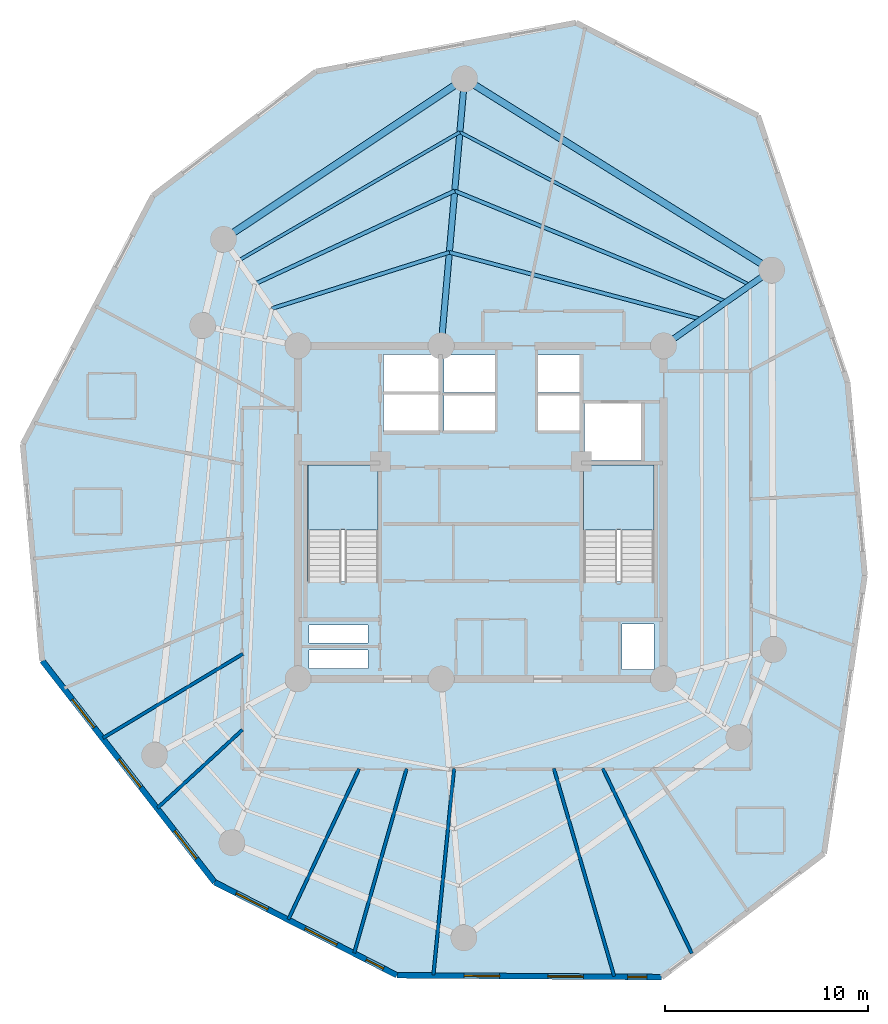
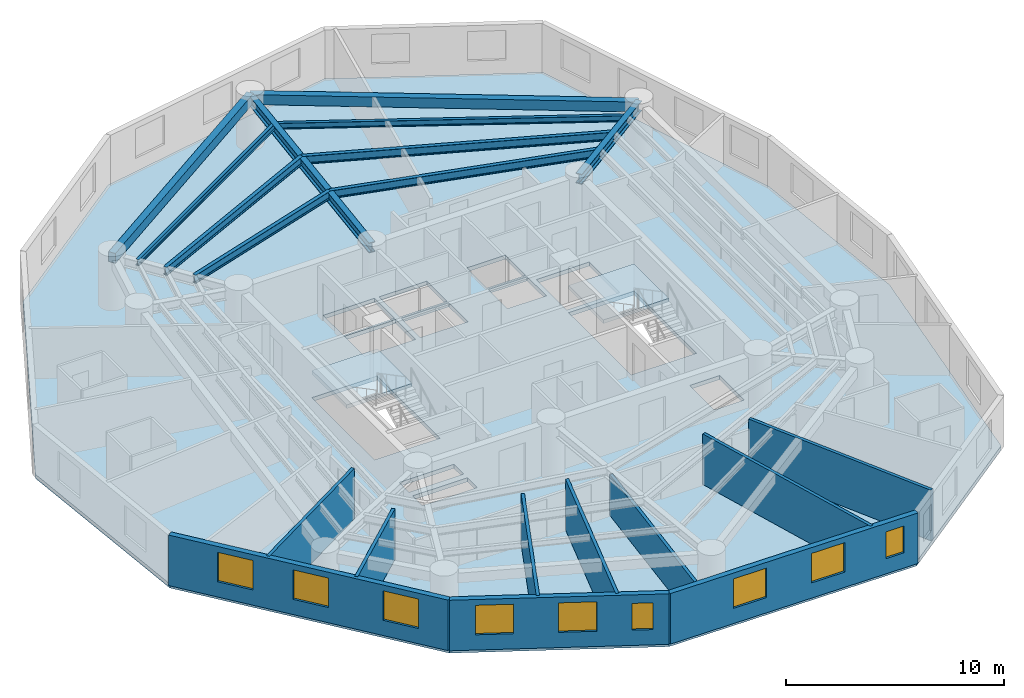
# One storey, part 2 of 7: 10 beams, 10 walls, 9 windows, 3 slabs, 9 openings, 2 elements without a shape of their own.
"""IFC4 building model written with IfcOpenShell, lengths in metres."""

from ifc_helpers import new_model, si_unit, direction, frame, frame_2d, origin, origin_with_axes, origin_2d, place, context, subcontext, project, spatial, polyline, rectangle, i_section, outline, extrude, source, transform, mapped, material, layer, layer_set, material_profile, profile_set, type_object, element, fill, aggregate, save


model = new_model("IFC4")

# Units and contexts
model_context = context("Model", 3, precision=1e-05, world=origin(), true_north=direction((0.0, 1.0)))
body_context = subcontext(model_context, "Body", "Model", "MODEL_VIEW")
ifc_project = project(units=[si_unit("LENGTHUNIT", "METRE"), si_unit("AREAUNIT", "SQUARE_METRE"), si_unit("VOLUMEUNIT", "CUBIC_METRE"), si_unit("PLANEANGLEUNIT", "RADIAN"), si_unit("MASSUNIT", "GRAM", prefix="KILO")], contexts=[model_context])

# Site, building, storey
site_placement = place(None, origin())
site = spatial("IfcSite", under=ifc_project, at=site_placement, CompositionType="ELEMENT")
building_placement = place(site_placement, origin())
building = spatial("IfcBuilding", under=site, at=building_placement, Name="Karkom Vertical University and Central Library", CompositionType="ELEMENT")
storey_placement = place(building_placement, frame((0.0, 0.0, 199.25)))
storey = spatial("IfcBuildingStorey", under=building, at=storey_placement, Name="L58", CompositionType="ELEMENT", Elevation=199.25)

# Beams
ifc_material_1 = material(Name="Precast concrete C45/55", Category="concrete")
ifc_material_profile_1 = material_profile(ifc_material_1, rectangle(XDim=0.35009765625, YDim=0.550048828125, at=origin_2d()), Name="SPB-350x550")
ifc_profile_set_1 = profile_set([ifc_material_profile_1], Name="Precast concrete C45/55")
beam_type_1 = type_object("IfcBeamType", Name="STR-BM-SP-2", PredefinedType="SPANDREL", material=ifc_profile_set_1)
shared_shape_1 = source(origin_with_axes(), body_context, "Body", "SweptSolid", [
    extrude(rectangle(XDim=0.35009765625, YDim=0.550048828125, at=origin_2d()), origin(), (0.0, 0.0, 1.0), 17.81884765625),
])
beam_1_placement = place(storey_placement, frame((42.823974609375, 38.427978515625, 2.550048828125), z_axis=(-0.848764070164, 0.528771740167, 0.0), x_axis=(-0.528771740167, -0.848764070164, 0.0)))
element("IfcBeam", 1, at=beam_1_placement, inside=storey, type_object=beam_type_1, Name="Level 58 Perimeter Spandrel Beam 02", PredefinedType="SPANDREL", context=body_context, shape_type="MappedRepresentation", body=[
    mapped(shared_shape_1, transform((0.0, 0.0, 0.0), scale=1.0)),
])
shared_shape_2 = source(origin_with_axes(), body_context, "Body", "SweptSolid", [
    extrude(rectangle(XDim=0.35009765625, YDim=0.550048828125, at=origin_2d()), origin(), (0.0, 0.0, 1.0), 14.26318359375),
])
beam_2_placement = place(storey_placement, frame((27.699951171875, 47.85009765625, 2.550048828125), z_axis=(-0.83227406272, -0.554364396876, 0.0), x_axis=(0.554364396876, -0.83227406272, 0.0)))
element("IfcBeam", 2, at=beam_2_placement, inside=storey, type_object=beam_type_1, Name="Level 58 Perimeter Spandrel Beam 03", PredefinedType="SPANDREL", context=body_context, shape_type="MappedRepresentation", body=[
    mapped(shared_shape_2, transform((0.0, 0.0, 0.0), scale=1.0)),
])
ifc_material_2 = material(Name="Steel S355", Category="steel")
ifc_material_profile_2 = material_profile(ifc_material_2, i_section(OverallWidth=0.18994140625, OverallDepth=0.449951171875, WebThickness=0.009521484375, FlangeThickness=0.0146484375, FilletRadius=0.02099609375, at=origin_2d()), Name="IPE 450")
ifc_profile_set_2 = profile_set([ifc_material_profile_2], Name="Steel S355")
beam_type_2 = type_object("IfcBeamType", Name="STR-BM-SB-IPE450", PredefinedType="BEAM", material=ifc_profile_set_2)
shared_shape_3 = source(origin_with_axes(), body_context, "Body", "SweptSolid", [
    extrude(i_section(OverallWidth=0.18994140625, OverallDepth=0.449951171875, WebThickness=0.009521484375, FlangeThickness=0.0146484375, FilletRadius=0.02099609375, at=origin_2d()), origin(), (0.0, 0.0, 1.0), 12.841552734375),
])
beam_3_placement = place(storey_placement, frame((39.36328125, 36.0048828125, 2.60009765625), z_axis=(-0.96646647674, 0.256792814032, 0.0), x_axis=(-0.256792814032, -0.96646647674, 0.0)))
element("IfcBeam", 3, at=beam_3_placement, inside=storey, type_object=beam_type_2, Name="Level 58 Secondary Composite Floor Beam 1.02", PredefinedType="BEAM", context=body_context, shape_type="MappedRepresentation", body=[
    mapped(shared_shape_3, transform((0.0, 0.0, 0.0), scale=1.0)),
])
shared_shape_4 = source(origin_with_axes(), body_context, "Body", "SweptSolid", [
    extrude(i_section(OverallWidth=0.18994140625, OverallDepth=0.449951171875, WebThickness=0.009521484375, FlangeThickness=0.0146484375, FilletRadius=0.02099609375, at=origin_2d()), origin(), (0.0, 0.0, 1.0), 9.1650390625),
])
beam_4_placement = place(storey_placement, frame((26.952392578125, 39.302490234375, 2.60009765625), z_axis=(-0.953318200449, -0.301967562319, 0.0), x_axis=(0.301967562319, -0.953318200449, 0.0)))
element("IfcBeam", 4, at=beam_4_placement, inside=storey, type_object=beam_type_2, Name="Level 58 Secondary Composite Floor Beam 1.03", PredefinedType="BEAM", context=body_context, shape_type="MappedRepresentation", body=[
    mapped(shared_shape_4, transform((0.0, 0.0, 0.0), scale=1.0)),
])
shared_shape_5 = source(origin_with_axes(), body_context, "Body", "SweptSolid", [
    extrude(i_section(OverallWidth=0.18994140625, OverallDepth=0.449951171875, WebThickness=0.009521484375, FlangeThickness=0.0146484375, FilletRadius=0.02099609375, at=origin_2d()), origin(), (0.0, 0.0, 1.0), 14.4443359375),
])
beam_5_placement = place(storey_placement, frame((40.587890625, 36.8623046875, 2.60009765625), z_axis=(-0.925675328736, 0.378318894281, 0.0), x_axis=(-0.378318894281, -0.925675328736, 0.0)))
element("IfcBeam", 5, at=beam_5_placement, inside=storey, type_object=beam_type_2, Name="Level 58 Secondary Composite Floor Beam 2.02", PredefinedType="BEAM", context=body_context, shape_type="MappedRepresentation", body=[
    mapped(shared_shape_5, transform((0.0, 0.0, 0.0), scale=1.0)),
])
shared_shape_6 = source(origin_with_axes(), body_context, "Body", "SweptSolid", [
    extrude(i_section(OverallWidth=0.18994140625, OverallDepth=0.449951171875, WebThickness=0.009521484375, FlangeThickness=0.0146484375, FilletRadius=0.02099609375, at=origin_2d()), origin(), (0.0, 0.0, 1.0), 10.86181640625),
])
beam_6_placement = place(storey_placement, frame((27.217041015625, 42.326904296875, 2.60009765625), z_axis=(-0.90649871419, -0.422208575436, 0.0), x_axis=(0.422208575436, -0.90649871419, 0.0)))
element("IfcBeam", 6, at=beam_6_placement, inside=storey, type_object=beam_type_2, Name="Level 58 Secondary Composite Floor Beam 2.03", PredefinedType="BEAM", context=body_context, shape_type="MappedRepresentation", body=[
    mapped(shared_shape_6, transform((0.0, 0.0, 0.0), scale=1.0)),
])
ifc_material_profile_3 = material_profile(ifc_material_2, i_section(OverallWidth=0.159912109375, OverallDepth=0.330078125, WebThickness=0.007568359375, FlangeThickness=0.011474609375, FilletRadius=0.01806640625, at=origin_2d()), Name="IPE 330")
ifc_profile_set_3 = profile_set([ifc_material_profile_3], Name="Steel S355")
beam_type_3 = type_object("IfcBeamType", Name="STR-BM-SB-IPE330", PredefinedType="BEAM", material=ifc_profile_set_3)
shared_shape_7 = source(origin_with_axes(), body_context, "Body", "SweptSolid", [
    extrude(i_section(OverallWidth=0.159912109375, OverallDepth=0.330078125, WebThickness=0.007568359375, FlangeThickness=0.011474609375, FilletRadius=0.01806640625, at=origin_2d()), origin(), (0.0, 0.0, 1.0), 16.155517578125),
])
beam_7_placement = place(storey_placement, frame((41.75927734375, 37.682373046875, 2.659912109375), z_axis=(-0.884486447848, 0.466565883423, 0.0), x_axis=(-0.466565883423, -0.884486447848, 0.0)))
element("IfcBeam", 7, at=beam_7_placement, inside=storey, type_object=beam_type_3, Name="Level 58 Secondary Composite Floor Beam 3.02", PredefinedType="BEAM", context=body_context, shape_type="MappedRepresentation", body=[
    mapped(shared_shape_7, transform((0.0, 0.0, 0.0), scale=1.0)),
])
shared_shape_8 = source(origin_with_axes(), body_context, "Body", "SweptSolid", [
    extrude(i_section(OverallWidth=0.159912109375, OverallDepth=0.330078125, WebThickness=0.007568359375, FlangeThickness=0.011474609375, FilletRadius=0.01806640625, at=origin_2d()), origin(), (0.0, 0.0, 1.0), 12.6083984375),
])
beam_8_placement = place(storey_placement, frame((27.469970703125, 45.219970703125, 2.659912109375), z_axis=(-0.865038920595, -0.50170475965, 0.0), x_axis=(0.50170475965, -0.865038920595, 0.0)))
element("IfcBeam", 8, at=beam_8_placement, inside=storey, type_object=beam_type_3, Name="Level 58 Secondary Composite Floor Beam 3.03", PredefinedType="BEAM", context=body_context, shape_type="MappedRepresentation", body=[
    mapped(shared_shape_8, transform((0.0, 0.0, 0.0), scale=1.0)),
])
ifc_material_profile_4 = material_profile(ifc_material_2, i_section(OverallWidth=0.300048828125, OverallDepth=0.550048828125, WebThickness=0.014892578125, FlangeThickness=0.029052734375, FilletRadius=0.027099609375, at=origin_2d()), Name="HE 550 B")
ifc_profile_set_4 = profile_set([ifc_material_profile_4], Name="Steel S355")
beam_type_4 = type_object("IfcBeamType", Name="STR-BM-SB-HE550", PredefinedType="USERDEFINED", material=ifc_profile_set_4)
shared_shape_9 = source(origin_with_axes(), body_context, "Body", "SweptSolid", [
    extrude(i_section(OverallWidth=0.300048828125, OverallDepth=0.550048828125, WebThickness=0.014892578125, FlangeThickness=0.029052734375, FilletRadius=0.027099609375, at=origin_2d()), origin(), (0.0, 0.0, 1.0), 6.49951171875),
])
beam_9_placement = place(storey_placement, frame((37.5, 34.699951171875, 2.550048828125), z_axis=(0.819141909878, 0.573590909517, 0.0), x_axis=(-0.573590909517, 0.819141909878, 0.0)))
element("IfcBeam", 9, at=beam_9_placement, inside=storey, type_object=beam_type_4, Name="Level 58 Radial Frame Girder 02", ObjectType="GIRDER", PredefinedType="USERDEFINED", context=body_context, shape_type="MappedRepresentation", body=[
    mapped(shared_shape_9, transform((0.0, 0.0, 0.0), scale=1.0)),
])
shared_shape_10 = source(origin_with_axes(), body_context, "Body", "SweptSolid", [
    extrude(i_section(OverallWidth=0.300048828125, OverallDepth=0.550048828125, WebThickness=0.014892578125, FlangeThickness=0.029052734375, FilletRadius=0.027099609375, at=origin_2d()), origin(), (0.0, 0.0, 1.0), 13.200439453125),
])
beam_10_placement = place(storey_placement, frame((26.550048828125, 34.699951171875, 2.550048828125), z_axis=(0.087111657164, 0.996198554098, 0.0), x_axis=(-0.996198554098, 0.087111657164, 0.0)))
element("IfcBeam", 10, at=beam_10_placement, inside=storey, type_object=beam_type_4, Name="Level 58 Radial Frame Girder 03", ObjectType="GIRDER", PredefinedType="USERDEFINED", context=body_context, shape_type="MappedRepresentation", body=[
    mapped(shared_shape_10, transform((0.0, 0.0, 0.0), scale=1.0)),
])

# Stair, slab
ifc_material_3 = material(Name="Concrete C45/55", Category="concrete")
stair_type = type_object("IfcStairType", Name="INT-STR-ST-MAIN", PredefinedType="HALF_TURN_STAIR", material=ifc_material_3)
stair_1_placement = place(storey_placement, origin())
stair_1 = element("IfcStair", 11, at=stair_1_placement, inside=storey, type_object=stair_type, Name="Level 58 Tower Protected Exit Stair ST-1", PredefinedType="HALF_TURN_STAIR")
ifc_layer_1 = layer(ifc_material_3, 0.199951171875)
ifc_layer_set_1 = layer_set([ifc_layer_1], Name="Concrete C45/55")
slab_type_1 = type_object("IfcSlabType", Name="INT-SLB-LANDING", PredefinedType="LANDING", material=ifc_layer_set_1)
slab_1_placement = place(storey_placement, frame((0.0, 0.0, 1.324951171875)))
slab_1 = element("IfcSlab", 12, at=slab_1_placement, type_object=slab_type_1, Name="ST-1 landing 1", PredefinedType="LANDING", context=body_context, shape_type="SweptSolid", body=[
    extrude(outline(polyline([(23.43994140625, 25.6298828125), (23.43994140625, 28.820068359375), (19.97998046875, 28.820068359375), (19.97998046875, 25.6298828125), (23.43994140625, 25.6298828125)])), origin(), (0.0, 0.0, 1.0), 0.199951171875),
])
aggregate(stair_1, [slab_1])

stair_2_placement = place(storey_placement, origin())
stair_2 = element("IfcStair", 13, at=stair_2_placement, inside=storey, type_object=stair_type, Name="Level 58 Tower Protected Exit Stair ST-2", PredefinedType="HALF_TURN_STAIR")
slab_2_placement = place(storey_placement, frame((0.0, 0.0, 1.324951171875)))
slab_2 = element("IfcSlab", 14, at=slab_2_placement, type_object=slab_type_1, Name="ST-2 landing 1", PredefinedType="LANDING", context=body_context, shape_type="SweptSolid", body=[
    extrude(outline(polyline([(37.02001953125, 25.6298828125), (37.02001953125, 28.820068359375), (33.56005859375, 28.820068359375), (33.56005859375, 25.6298828125), (37.02001953125, 25.6298828125)])), origin(), (0.0, 0.0, 1.0), 0.199951171875),
])
aggregate(stair_2, [slab_2])

# Slab
ifc_layer_2 = layer(ifc_material_3, 0.22509765625)
ifc_layer_set_2 = layer_set([ifc_layer_2], Name="Concrete C45/55")
slab_type_2 = type_object("IfcSlabType", Name="STR-SLB-FLR-225", PredefinedType="FLOOR", material=ifc_layer_set_2)
slab_3_placement = place(storey_placement, frame((0.0, 0.0, -0.22509765625)))
element("IfcSlab", 15, at=slab_3_placement, inside=storey, type_object=slab_type_2, Name="Level 58 Tower Structural Floor Slab", PredefinedType="FLOOR", context=body_context, shape_type="SweptSolid", body=[
    extrude(outline(polyline([(5.95068359375, 29.854736328125), (6.906494140625, 19.190185546875), (15.396240234375, 8.28515625), (24.368408203125, 3.702392578125), (37.4033203125, 3.613037109375), (45.400634765625, 9.70458984375), (47.4072265625, 23.39501953125), (46.55419921875, 32.91650390625), (42.145751953125, 46.0322265625), (33.19287109375, 50.605224609375), (20.38134765625, 48.199951171875), (12.36669921875, 42.09521484375), (5.95068359375, 29.854736328125)]), holes=[polyline([(19.97998046875, 23.0849609375), (23.43994140625, 23.0849609375), (23.43994140625, 28.820068359375), (19.97998046875, 28.820068359375), (19.97998046875, 23.0849609375)]), polyline([(33.56005859375, 23.0849609375), (37.02001953125, 23.0849609375), (37.02001953125, 28.820068359375), (33.56005859375, 28.820068359375), (33.56005859375, 23.0849609375)]), polyline([(26.679931640625, 30.5), (29.199951171875, 30.5), (29.199951171875, 32.25), (26.679931640625, 32.25), (26.679931640625, 30.5)]), polyline([(26.679931640625, 32.39990234375), (29.199951171875, 32.39990234375), (29.199951171875, 34.25), (26.679931640625, 34.25), (26.679931640625, 32.39990234375)]), polyline([(31.300048828125, 30.5), (33.35009765625, 30.5), (33.35009765625, 32.25), (31.300048828125, 32.25), (31.300048828125, 30.5)]), polyline([(31.300048828125, 32.39990234375), (33.35009765625, 32.39990234375), (33.35009765625, 34.25), (31.300048828125, 34.25), (31.300048828125, 32.39990234375)]), polyline([(23.719970703125, 30.47998046875), (26.429931640625, 30.47998046875), (26.429931640625, 32.320068359375), (23.719970703125, 32.320068359375), (23.719970703125, 30.47998046875)]), polyline([(23.719970703125, 32.419921875), (26.429931640625, 32.419921875), (26.429931640625, 34.260009765625), (23.719970703125, 34.260009765625), (23.719970703125, 32.419921875)]), polyline([(33.60009765625, 29.050048828125), (36.39990234375, 29.050048828125), (36.39990234375, 31.85009765625), (33.60009765625, 31.85009765625), (33.60009765625, 29.050048828125)]), polyline([(20.050048828125, 18.820068359375), (22.949951171875, 18.820068359375), (22.949951171875, 19.719970703125), (20.050048828125, 19.719970703125), (20.050048828125, 18.820068359375)]), polyline([(20.050048828125, 20.06005859375), (22.949951171875, 20.06005859375), (22.949951171875, 20.9599609375), (20.050048828125, 20.9599609375), (20.050048828125, 20.06005859375)]), polyline([(35.4599609375, 18.760009765625), (37.0400390625, 18.760009765625), (37.0400390625, 21.010009765625), (35.4599609375, 21.010009765625), (35.4599609375, 18.760009765625)])]), origin(), (0.0, 0.0, 1.0), 0.22509765625),
])

# Wall, openings, windows
ifc_material_4 = material(Name="Brick-faced precast concrete C45/55", Category="masonry")
ifc_layer_3 = layer(ifc_material_4, 0.280029296875)
ifc_layer_set_3 = layer_set([ifc_layer_3], Name="Brick-faced precast concrete C45/55")
wall_type_1 = type_object("IfcWallType", Name="ENV-WL-BRK-280", PredefinedType="SOLIDWALL", material=ifc_layer_set_3)
wall_1_placement = place(storey_placement, frame((6.906494140625, 19.190185546875, 0.0), z_axis=(0.0, 0.0, 1.0), x_axis=(0.614303780549, -0.789069619997, 0.0)))
wall_1 = element("IfcWall", 16, at=wall_1_placement, inside=storey, type_object=wall_type_1, Name="Level 58 Brick-Faced Precast Facade Wall 02", PredefinedType="SOLIDWALL", context=body_context, shape_type="SweptSolid", body=[
    extrude(rectangle(XDim=13.820068359375, YDim=0.280029296875, at=frame_2d((6.91015625, 0.0))), origin(), (0.0, 0.0, 1.0), 2.824951171875),
])
opening_1_placement = place(wall_1_placement, frame((2.413818359375, 0.0, 0.85009765625)))
opening_1 = element("IfcOpeningElement", 17, at=opening_1_placement, cuts=wall_1, Name="Opening WN-08", PredefinedType="OPENING", context=body_context, shape_type="SweptSolid", body=[
    extrude(rectangle(XDim=1.75, YDim=1.64990234375, at=frame_2d((0.875, 0.824951171875))), frame((0.0, 0.14990234375, 0.0), z_axis=(0.0, -1.0, 0.0), x_axis=(1.0, 0.0, 0.0)), (0.0, 0.0, 1.0), 0.300048828125),
])
opening_2_placement = place(wall_1_placement, frame((6.14453125, 0.0, 0.85009765625)))
opening_2 = element("IfcOpeningElement", 18, at=opening_2_placement, cuts=wall_1, Name="Opening WN-08", PredefinedType="OPENING", context=body_context, shape_type="SweptSolid", body=[
    extrude(rectangle(XDim=1.75, YDim=1.64990234375, at=frame_2d((0.875, 0.824951171875))), frame((0.0, 0.14990234375, 0.0), z_axis=(0.0, -1.0, 0.0), x_axis=(1.0, 0.0, 0.0)), (0.0, 0.0, 1.0), 0.300048828125),
])
opening_3_placement = place(wall_1_placement, frame((10.605224609375, 0.0, 0.85009765625)))
opening_3 = element("IfcOpeningElement", 19, at=opening_3_placement, cuts=wall_1, Name="Opening WN-08", PredefinedType="OPENING", context=body_context, shape_type="SweptSolid", body=[
    extrude(rectangle(XDim=1.75, YDim=1.64990234375, at=frame_2d((0.875, 0.824951171875))), frame((0.0, 0.14990234375, 0.0), z_axis=(0.0, -1.0, 0.0), x_axis=(1.0, 0.0, 0.0)), (0.0, 0.0, 1.0), 0.300048828125),
])
ifc_material_5 = material(Name="Aluminium thermal-break frame with solar-control IGU", Category="aluminium")
window_type_1 = type_object("IfcWindowType", Name="ENV-WIN-WN-08", PartitioningType="SINGLE_PANEL", PredefinedType="WINDOW", material=ifc_material_5)
shared_shape_11 = source(origin_with_axes(), body_context, "Body", "SweptSolid", [
    extrude(rectangle(XDim=1.75, YDim=1.64990234375, at=frame_2d((0.875, 0.824951171875))), frame((0.0, 0.030029296875, 0.0), z_axis=(0.0, -1.0, 0.0), x_axis=(1.0, 0.0, 0.0)), (0.0, 0.0, 1.0), 0.06005859375),
])
window_1_placement = place(opening_1_placement, origin())
window_1 = element("IfcWindow", 20, at=window_1_placement, inside=storey, type_object=window_type_1, Name="Level 58 Punched Window 2.1", OverallHeight=1.64990234375, OverallWidth=1.75, PartitioningType="SINGLE_PANEL", PredefinedType="WINDOW", context=body_context, shape_type="MappedRepresentation", body=[
    mapped(shared_shape_11, transform((0.0, 0.0, 0.0), scale=1.0)),
])
fill(opening_1, window_1)
window_2_placement = place(opening_2_placement, origin())
window_2 = element("IfcWindow", 21, at=window_2_placement, inside=storey, type_object=window_type_1, Name="Level 58 Punched Window 2.2", OverallHeight=1.64990234375, OverallWidth=1.75, PartitioningType="SINGLE_PANEL", PredefinedType="WINDOW", context=body_context, shape_type="MappedRepresentation", body=[
    mapped(shared_shape_11, transform((0.0, 0.0, 0.0), scale=1.0)),
])
fill(opening_2, window_2)
window_3_placement = place(opening_3_placement, origin())
window_3 = element("IfcWindow", 22, at=window_3_placement, inside=storey, type_object=window_type_1, Name="Level 58 Punched Window 2.3", OverallHeight=1.64990234375, OverallWidth=1.75, PartitioningType="SINGLE_PANEL", PredefinedType="WINDOW", context=body_context, shape_type="MappedRepresentation", body=[
    mapped(shared_shape_11, transform((0.0, 0.0, 0.0), scale=1.0)),
])
fill(opening_3, window_3)

wall_2_placement = place(storey_placement, frame((15.396240234375, 8.28515625, 0.0), z_axis=(0.0, 0.0, 1.0), x_axis=(0.890555767274, -0.454874076394, 0.0)))
wall_2 = element("IfcWall", 23, at=wall_2_placement, inside=storey, type_object=wall_type_1, Name="Level 58 Brick-Faced Precast Facade Wall 03", PredefinedType="SOLIDWALL", context=body_context, shape_type="SweptSolid", body=[
    extrude(rectangle(XDim=10.07470703125, YDim=0.280029296875, at=frame_2d((5.037353515625, 0.0))), origin(), (0.0, 0.0, 1.0), 2.824951171875),
])
opening_4_placement = place(wall_2_placement, frame((1.186279296875, 0.0, 0.85009765625)))
opening_4 = element("IfcOpeningElement", 24, at=opening_4_placement, cuts=wall_2, Name="Opening WN-08", PredefinedType="OPENING", context=body_context, shape_type="SweptSolid", body=[
    extrude(rectangle(XDim=1.75, YDim=1.64990234375, at=frame_2d((0.875, 0.824951171875))), frame((0.0, 0.14990234375, 0.0), z_axis=(0.0, -1.0, 0.0), x_axis=(1.0, 0.0, 0.0)), (0.0, 0.0, 1.0), 0.300048828125),
])
opening_5_placement = place(wall_2_placement, frame((5.00390625, 0.0, 0.85009765625)))
opening_5 = element("IfcOpeningElement", 25, at=opening_5_placement, cuts=wall_2, Name="Opening WN-08", PredefinedType="OPENING", context=body_context, shape_type="SweptSolid", body=[
    extrude(rectangle(XDim=1.75, YDim=1.64990234375, at=frame_2d((0.875, 0.824951171875))), frame((0.0, 0.14990234375, 0.0), z_axis=(0.0, -1.0, 0.0), x_axis=(1.0, 0.0, 0.0)), (0.0, 0.0, 1.0), 0.300048828125),
])
opening_6_placement = place(wall_2_placement, frame((8.380126953125, 0.0, 0.85009765625)))
opening_6 = element("IfcOpeningElement", 26, at=opening_6_placement, cuts=wall_2, Name="Opening WN-12", PredefinedType="OPENING", context=body_context, shape_type="SweptSolid", body=[
    extrude(rectangle(XDim=0.949951171875, YDim=1.5, at=frame_2d((0.47509765625, 0.75))), frame((0.0, 0.14990234375, 0.0), z_axis=(0.0, -1.0, 0.0), x_axis=(1.0, 0.0, 0.0)), (0.0, 0.0, 1.0), 0.300048828125),
])
window_type_2 = type_object("IfcWindowType", Name="ENV-WIN-WN-12", PartitioningType="SINGLE_PANEL", PredefinedType="WINDOW", material=ifc_material_5)
shared_shape_12 = source(origin_with_axes(), body_context, "Body", "SweptSolid", [
    extrude(rectangle(XDim=0.949951171875, YDim=1.5, at=frame_2d((0.47509765625, 0.75))), frame((0.0, 0.030029296875, 0.0), z_axis=(0.0, -1.0, 0.0), x_axis=(1.0, 0.0, 0.0)), (0.0, 0.0, 1.0), 0.06005859375),
])
window_4_placement = place(opening_6_placement, origin())
window_4 = element("IfcWindow", 27, at=window_4_placement, inside=storey, type_object=window_type_2, Name="Level 58 Punched Window 3.3", OverallHeight=1.5, OverallWidth=0.949951171875, PartitioningType="SINGLE_PANEL", PredefinedType="WINDOW", context=body_context, shape_type="MappedRepresentation", body=[
    mapped(shared_shape_12, transform((0.0, 0.0, 0.0), scale=1.0)),
])
fill(opening_6, window_4)
window_5_placement = place(opening_4_placement, origin())
window_5 = element("IfcWindow", 28, at=window_5_placement, inside=storey, type_object=window_type_1, Name="Level 58 Punched Window 3.1", OverallHeight=1.64990234375, OverallWidth=1.75, PartitioningType="SINGLE_PANEL", PredefinedType="WINDOW", context=body_context, shape_type="MappedRepresentation", body=[
    mapped(shared_shape_11, transform((0.0, 0.0, 0.0), scale=1.0)),
])
fill(opening_4, window_5)
window_6_placement = place(opening_5_placement, origin())
window_6 = element("IfcWindow", 29, at=window_6_placement, inside=storey, type_object=window_type_1, Name="Level 58 Punched Window 3.2", OverallHeight=1.64990234375, OverallWidth=1.75, PartitioningType="SINGLE_PANEL", PredefinedType="WINDOW", context=body_context, shape_type="MappedRepresentation", body=[
    mapped(shared_shape_11, transform((0.0, 0.0, 0.0), scale=1.0)),
])
fill(opening_5, window_6)

wall_3_placement = place(storey_placement, frame((24.368408203125, 3.702392578125, 0.0), z_axis=(0.0, 0.0, 1.0), x_axis=(0.999976504713, -0.006854926874, 0.0)))
wall_3 = element("IfcWall", 30, at=wall_3_placement, inside=storey, type_object=wall_type_1, Name="Level 58 Brick-Faced Precast Facade Wall 04", PredefinedType="SOLIDWALL", context=body_context, shape_type="SweptSolid", body=[
    extrude(rectangle(XDim=13.03515625, YDim=0.280029296875, at=frame_2d((6.517578125, 0.0))), origin(), (0.0, 0.0, 1.0), 2.824951171875),
])
opening_7_placement = place(wall_3_placement, frame((3.30908203125, 0.0, 0.85009765625)))
opening_7 = element("IfcOpeningElement", 31, at=opening_7_placement, cuts=wall_3, Name="Opening WN-08", PredefinedType="OPENING", context=body_context, shape_type="SweptSolid", body=[
    extrude(rectangle(XDim=1.75, YDim=1.64990234375, at=frame_2d((0.875, 0.824951171875))), frame((0.0, 0.14990234375, 0.0), z_axis=(0.0, -1.0, 0.0), x_axis=(1.0, 0.0, 0.0)), (0.0, 0.0, 1.0), 0.300048828125),
])
opening_8_placement = place(wall_3_placement, frame((7.433837890625, 0.0, 0.85009765625)))
opening_8 = element("IfcOpeningElement", 32, at=opening_8_placement, cuts=wall_3, Name="Opening WN-08", PredefinedType="OPENING", context=body_context, shape_type="SweptSolid", body=[
    extrude(rectangle(XDim=1.75, YDim=1.64990234375, at=frame_2d((0.875, 0.824951171875))), frame((0.0, 0.14990234375, 0.0), z_axis=(0.0, -1.0, 0.0), x_axis=(1.0, 0.0, 0.0)), (0.0, 0.0, 1.0), 0.300048828125),
])
opening_9_placement = place(wall_3_placement, frame((11.3583984375, 0.0, 0.85009765625)))
opening_9 = element("IfcOpeningElement", 33, at=opening_9_placement, cuts=wall_3, Name="Opening WN-12", PredefinedType="OPENING", context=body_context, shape_type="SweptSolid", body=[
    extrude(rectangle(XDim=0.949951171875, YDim=1.5, at=frame_2d((0.47509765625, 0.75))), frame((0.0, 0.14990234375, 0.0), z_axis=(0.0, -1.0, 0.0), x_axis=(1.0, 0.0, 0.0)), (0.0, 0.0, 1.0), 0.300048828125),
])
window_7_placement = place(opening_9_placement, origin())
window_7 = element("IfcWindow", 34, at=window_7_placement, inside=storey, type_object=window_type_2, Name="Level 58 Punched Window 4.3", OverallHeight=1.5, OverallWidth=0.949951171875, PartitioningType="SINGLE_PANEL", PredefinedType="WINDOW", context=body_context, shape_type="MappedRepresentation", body=[
    mapped(shared_shape_12, transform((0.0, 0.0, 0.0), scale=1.0)),
])
fill(opening_9, window_7)
window_8_placement = place(opening_7_placement, origin())
window_8 = element("IfcWindow", 35, at=window_8_placement, inside=storey, type_object=window_type_1, Name="Level 58 Punched Window 4.1", OverallHeight=1.64990234375, OverallWidth=1.75, PartitioningType="SINGLE_PANEL", PredefinedType="WINDOW", context=body_context, shape_type="MappedRepresentation", body=[
    mapped(shared_shape_11, transform((0.0, 0.0, 0.0), scale=1.0)),
])
fill(opening_7, window_8)
window_9_placement = place(opening_8_placement, origin())
window_9 = element("IfcWindow", 36, at=window_9_placement, inside=storey, type_object=window_type_1, Name="Level 58 Punched Window 4.2", OverallHeight=1.64990234375, OverallWidth=1.75, PartitioningType="SINGLE_PANEL", PredefinedType="WINDOW", context=body_context, shape_type="MappedRepresentation", body=[
    mapped(shared_shape_11, transform((0.0, 0.0, 0.0), scale=1.0)),
])
fill(opening_8, window_9)

# Walls
ifc_material_6 = material(Name="Insulated metal-stud drywall 160mm", Category="gypsum")
ifc_layer_4 = layer(ifc_material_6, 0.159912109375)
ifc_layer_set_4 = layer_set([ifc_layer_4], Name="Insulated metal-stud drywall 160mm")
wall_type_2 = type_object("IfcWallType", Name="INT-WL-COR-160", PredefinedType="PARTITIONING", material=ifc_layer_set_4)
wall_4_placement = place(storey_placement, frame((32.09765625, 13.893310546875, 0.0), z_axis=(0.0, 0.0, 1.0), x_axis=(0.278805425111, -0.960347611508, 0.0)))
element("IfcWall", 37, at=wall_4_placement, inside=storey, type_object=wall_type_2, Name="Level 58 Interior Partition Wall L58-PW-008", PredefinedType="PARTITIONING", context=body_context, shape_type="SweptSolid", body=[
    extrude(rectangle(XDim=10.659423828125, YDim=0.159912109375, at=frame_2d((5.32958984375, 0.0))), origin(), (0.0, 0.0, 1.0), 2.824951171875),
])
wall_5_placement = place(storey_placement, frame((27.180908203125, 13.8798828125, 0.0), z_axis=(0.0, 0.0, 1.0), x_axis=(-0.099281279369, -0.995059409064, 0.0)))
element("IfcWall", 38, at=wall_5_placement, inside=storey, type_object=wall_type_2, Name="Level 58 Interior Partition Wall L58-PW-007", PredefinedType="PARTITIONING", context=body_context, shape_type="SweptSolid", body=[
    extrude(rectangle(XDim=10.215087890625, YDim=0.159912109375, at=frame_2d((5.107421875, 0.0))), origin(), (0.0, 0.0, 1.0), 2.27490234375),
])
wall_6_placement = place(storey_placement, frame((34.505859375, 13.890380859375, 0.0), z_axis=(0.0, 0.0, 1.0), x_axis=(0.433903461871, -0.900959369659, 0.0)))
element("IfcWall", 39, at=wall_6_placement, inside=storey, type_object=wall_type_2, Name="Level 58 Interior Partition Wall L58-PW-009", PredefinedType="PARTITIONING", context=body_context, shape_type="SweptSolid", body=[
    extrude(rectangle(XDim=10.111083984375, YDim=0.159912109375, at=frame_2d((5.0556640625, 0.0))), origin(), (0.0, 0.0, 1.0), 2.824951171875),
])
wall_7_placement = place(storey_placement, frame((24.84814453125, 13.87890625, 0.0), z_axis=(0.0, 0.0, 1.0), x_axis=(-0.273538310393, -0.961861108865, 0.0)))
element("IfcWall", 40, at=wall_7_placement, inside=storey, type_object=wall_type_2, Name="Level 58 Interior Partition Wall L58-PW-006", PredefinedType="PARTITIONING", context=body_context, shape_type="SweptSolid", body=[
    extrude(rectangle(XDim=9.43408203125, YDim=0.159912109375, at=frame_2d((4.717041015625, 0.0))), origin(), (0.0, 0.0, 1.0), 2.824951171875),
])
wall_8_placement = place(storey_placement, frame((22.508544921875, 13.877197265625, 0.0), z_axis=(0.0, 0.0, 1.0), x_axis=(-0.424923080235, -0.905229460349, 0.0)))
element("IfcWall", 41, at=wall_8_placement, inside=storey, type_object=wall_type_2, Name="Level 58 Interior Partition Wall L58-PW-005", PredefinedType="PARTITIONING", context=body_context, shape_type="SweptSolid", body=[
    extrude(rectangle(XDim=8.19482421875, YDim=0.159912109375, at=frame_2d((4.097412109375, 0.0))), origin(), (0.0, 0.0, 1.0), 2.824951171875),
])
wall_9_placement = place(storey_placement, frame((16.78857421875, 19.532470703125, 0.0), z_axis=(0.0, 0.0, 1.0), x_axis=(-0.857152504072, -0.515062699836, 0.0)))
element("IfcWall", 42, at=wall_9_placement, inside=storey, type_object=wall_type_2, Name="Level 58 Interior Partition Wall L58-PW-003", PredefinedType="PARTITIONING", context=body_context, shape_type="SweptSolid", body=[
    extrude(rectangle(XDim=8.041015625, YDim=0.159912109375, at=frame_2d((4.0205078125, 0.0))), origin(), (0.0, 0.0, 1.0), 2.824951171875),
])
wall_10_placement = place(storey_placement, frame((16.772216796875, 15.798095703125, 0.0), z_axis=(0.0, 0.0, 1.0), x_axis=(-0.736130064202, -0.676840105621, 0.0)))
element("IfcWall", 43, at=wall_10_placement, inside=storey, type_object=wall_type_2, Name="Level 58 Interior Partition Wall L58-PW-004", PredefinedType="PARTITIONING", context=body_context, shape_type="SweptSolid", body=[
    extrude(rectangle(XDim=5.69482421875, YDim=0.159912109375, at=frame_2d((2.847412109375, 0.0))), origin(), (0.0, 0.0, 1.0), 2.824951171875),
])

save(model, "model.ifc")
